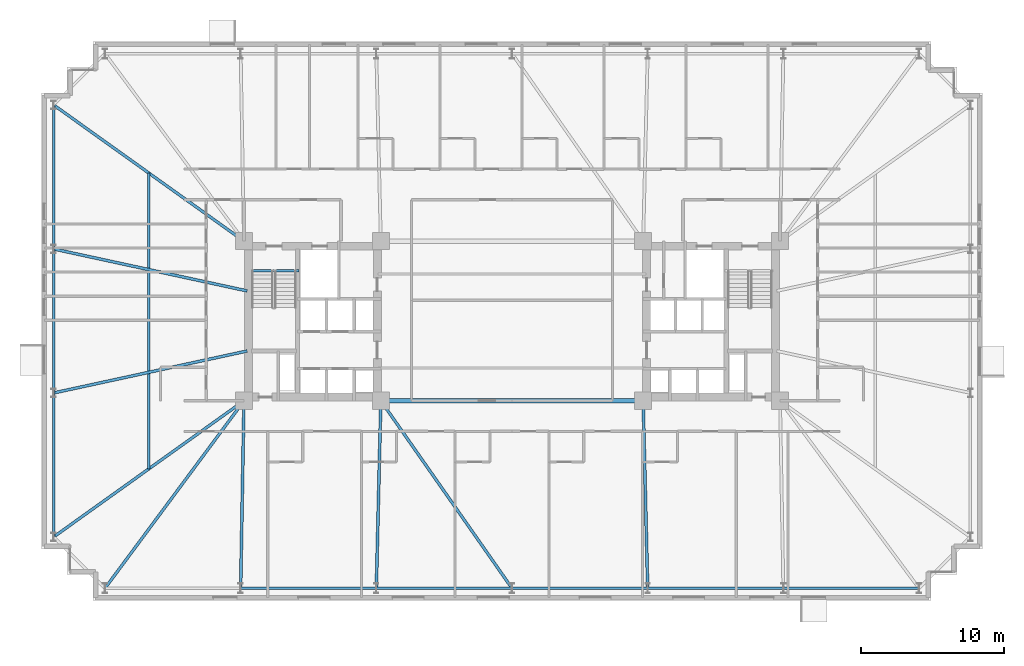
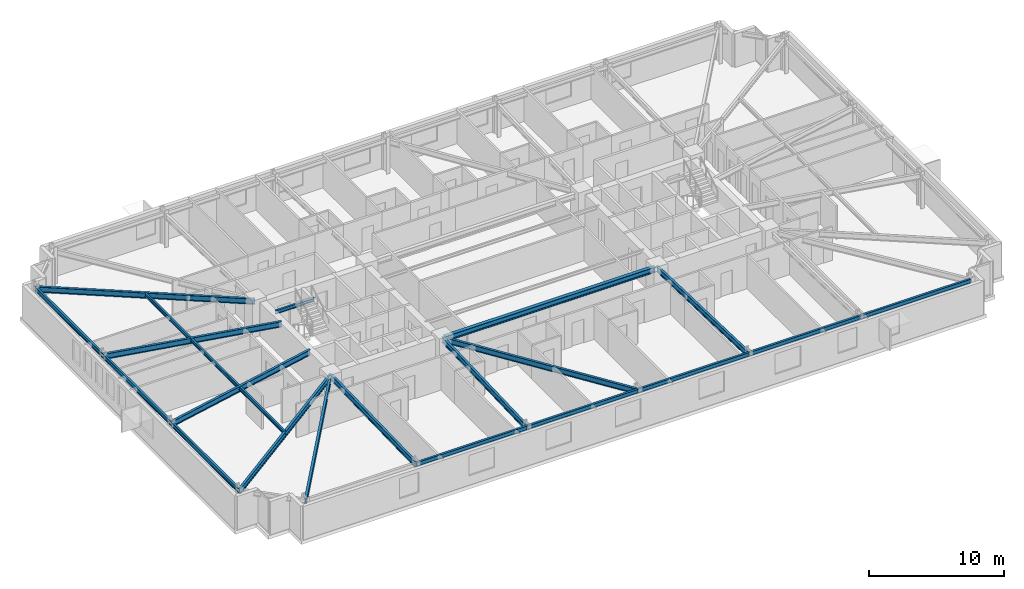
# One storey, part 5 of 21: 20 beams.
"""IFC4 building model written with IfcOpenShell, lengths in metres."""

from ifc_helpers import new_model, si_unit, direction, frame, origin, origin_2d, place, context, subcontext, project, spatial, i_section, extrude, material, material_profile, profile_set, type_object, element, save


model = new_model("IFC4")

# Units and contexts
model_context = context("Model", 3, precision=1e-05, world=origin(), true_north=direction((0.0, 1.0)))
body_context = subcontext(model_context, "Body", "Model", "MODEL_VIEW")
ifc_project = project(units=[si_unit("LENGTHUNIT", "METRE"), si_unit("AREAUNIT", "SQUARE_METRE"), si_unit("VOLUMEUNIT", "CUBIC_METRE"), si_unit("PLANEANGLEUNIT", "RADIAN"), si_unit("MASSUNIT", "GRAM", prefix="KILO")], contexts=[model_context])

# Site, building, storey
site_placement = place(None, origin())
site = spatial("IfcSite", under=ifc_project, at=site_placement, CompositionType="ELEMENT")
building_placement = place(site_placement, origin())
building = spatial("IfcBuilding", under=site, at=building_placement, Name="Qobustan Lattice House", CompositionType="ELEMENT")
storey_placement = place(building_placement, frame((0.0, 0.0, 57.14990234375)))
storey = spatial("IfcBuildingStorey", under=building, at=storey_placement, Name="L15", CompositionType="ELEMENT", Elevation=57.14990234375)

# Beams
ifc_material_1 = material(Name="Steel S355", Category="steel")
ifc_material_profile_1 = material_profile(ifc_material_1, i_section(OverallWidth=0.300048828125, OverallDepth=0.5, WebThickness=0.014404296875, FlangeThickness=0.028076171875, FilletRadius=0.027099609375, at=origin_2d()), Name="HEB500")
ifc_profile_set_1 = profile_set([ifc_material_profile_1], Name="Steel S355")
beam_type_1 = type_object("IfcBeamType", Name="BM-CG-HEB500", PredefinedType="USERDEFINED", material=ifc_profile_set_1)
beam_1_placement = place(storey_placement, frame((-9.050048828125, -5.60009765625, 2.78515625), z_axis=(1.0, 0.0, 0.0), x_axis=(0.0, 1.0, 0.0)))
element("IfcBeam", 1, at=beam_1_placement, inside=storey, type_object=beam_type_1, Name="L15 core spine girder CG-CS", ObjectType="GIRDER", PredefinedType="USERDEFINED", context=body_context, shape_type="SweptSolid", body=[
    extrude(i_section(OverallWidth=0.300048828125, OverallDepth=0.5, WebThickness=0.014404296875, FlangeThickness=0.028076171875, FilletRadius=0.027099609375, at=origin_2d()), origin(), (0.0, 0.0, 1.0), 18.10009765625),
])
ifc_material_2 = material(Name="Steel S355", Category="steel")
ifc_material_profile_2 = material_profile(ifc_material_2, i_section(OverallWidth=0.199951171875, OverallDepth=0.5, WebThickness=0.01025390625, FlangeThickness=0.01611328125, FilletRadius=0.02099609375, at=origin_2d()), Name="IPE500")
ifc_profile_set_2 = profile_set([ifc_material_profile_2], Name="Steel S355")
beam_type_2 = type_object("IfcBeamType", Name="BM-FLG-IPE500", PredefinedType="USERDEFINED", material=ifc_profile_set_2)
beam_2_placement = place(storey_placement, frame((-28.53515625, -18.72998046875, 2.78515625), z_axis=(0.5955916815, 0.803287338956, 0.0), x_axis=(-0.803287338956, 0.5955916815, 0.0)))
element("IfcBeam", 2, at=beam_2_placement, inside=storey, type_object=beam_type_2, Name="L15 primary floor girder RAD-S1W", ObjectType="GIRDER", PredefinedType="USERDEFINED", context=body_context, shape_type="SweptSolid", body=[
    extrude(i_section(OverallWidth=0.199951171875, OverallDepth=0.5, WebThickness=0.01025390625, FlangeThickness=0.01611328125, FilletRadius=0.02099609375, at=origin_2d()), origin(), (0.0, 0.0, 1.0), 16.3203125),
])
beam_3_placement = place(storey_placement, frame((-19.032958984375, -18.72509765625, 2.78515625), z_axis=(0.017757831607, 0.999842317276, 0.0), x_axis=(-0.999842317276, 0.017757831607, 0.0)))
element("IfcBeam", 3, at=beam_3_placement, inside=storey, type_object=beam_type_2, Name="L15 primary floor girder RAD-S2", ObjectType="GIRDER", PredefinedType="USERDEFINED", context=body_context, shape_type="SweptSolid", body=[
    extrude(i_section(OverallWidth=0.199951171875, OverallDepth=0.5, WebThickness=0.01025390625, FlangeThickness=0.01611328125, FilletRadius=0.02099609375, at=origin_2d()), origin(), (0.0, 0.0, 1.0), 13.10205078125),
])
beam_4_placement = place(storey_placement, frame((-9.51611328125, -18.72509765625, 2.78515625), z_axis=(0.024071445657, 0.999710240772, 0.0), x_axis=(-0.999710240772, 0.024071445657, 0.0)))
element("IfcBeam", 4, at=beam_4_placement, inside=storey, type_object=beam_type_2, Name="L15 primary floor girder RAD-S3", ObjectType="GIRDER", PredefinedType="USERDEFINED", context=body_context, shape_type="SweptSolid", body=[
    extrude(i_section(OverallWidth=0.199951171875, OverallDepth=0.5, WebThickness=0.01025390625, FlangeThickness=0.01611328125, FilletRadius=0.02099609375, at=origin_2d()), origin(), (0.0, 0.0, 1.0), 13.10400390625),
])
beam_5_placement = place(storey_placement, frame((-0.014404296875, -18.7294921875, 2.78515625), z_axis=(-0.57325954206, 0.819373844736, 0.0), x_axis=(-0.819373844736, -0.57325954206, 0.0)))
element("IfcBeam", 5, at=beam_5_placement, inside=storey, type_object=beam_type_2, Name="L15 primary floor girder RAD-S4", ObjectType="GIRDER", PredefinedType="USERDEFINED", context=body_context, shape_type="SweptSolid", body=[
    extrude(i_section(OverallWidth=0.199951171875, OverallDepth=0.5, WebThickness=0.01025390625, FlangeThickness=0.01611328125, FilletRadius=0.02099609375, at=origin_2d()), origin(), (0.0, 0.0, 1.0), 15.998779296875),
])
beam_6_placement = place(storey_placement, frame((9.51611328125, -18.72509765625, 2.78515625), z_axis=(-0.024071445657, 0.999710240772, 0.0), x_axis=(-0.999710240772, -0.024071445657, 0.0)))
element("IfcBeam", 6, at=beam_6_placement, inside=storey, type_object=beam_type_2, Name="L15 primary floor girder RAD-S5", ObjectType="GIRDER", PredefinedType="USERDEFINED", context=body_context, shape_type="SweptSolid", body=[
    extrude(i_section(OverallWidth=0.199951171875, OverallDepth=0.5, WebThickness=0.01025390625, FlangeThickness=0.01611328125, FilletRadius=0.02099609375, at=origin_2d()), origin(), (0.0, 0.0, 1.0), 13.10400390625),
])
beam_7_placement = place(storey_placement, frame((-32.129638671875, 15.135498046875, 2.78515625), z_axis=(0.813318954893, -0.581818079481, 0.0), x_axis=(0.581818079481, 0.813318954893, 0.0)))
element("IfcBeam", 7, at=beam_7_placement, inside=storey, type_object=beam_type_2, Name="L15 primary floor girder RAD-W1", ObjectType="GIRDER", PredefinedType="USERDEFINED", context=body_context, shape_type="SweptSolid", body=[
    extrude(i_section(OverallWidth=0.199951171875, OverallDepth=0.5, WebThickness=0.01025390625, FlangeThickness=0.01611328125, FilletRadius=0.02099609375, at=origin_2d()), origin(), (0.0, 0.0, 1.0), 16.3642578125),
])
for number, where, z_axis, x_axis, name in (
    (8, (-32.12548828125, 5.044677734375, 2.78515625), (0.97727240275, -0.211987383643, 0.0), (0.211987383643, 0.97727240275, 0.0), "L15 primary floor girder RAD-W2"),
    (9, (-32.12548828125, -5.044677734375, 2.78515625), (0.97727240275, 0.211987383643, 0.0), (-0.211987383643, 0.97727240275, 0.0), "L15 primary floor girder RAD-W3"),
):
    element("IfcBeam", number, at=place(storey_placement, frame(where, z_axis=z_axis, x_axis=x_axis)), inside=storey, type_object=beam_type_2, Name=name, ObjectType="GIRDER", PredefinedType="USERDEFINED", context=body_context, shape_type="SweptSolid", body=[
        extrude(i_section(OverallWidth=0.199951171875, OverallDepth=0.5, WebThickness=0.01025390625, FlangeThickness=0.01611328125, FilletRadius=0.02099609375, at=origin_2d()), origin(), (0.0, 0.0, 1.0), 13.8662109375),
    ])
beam_8_placement = place(storey_placement, frame((-32.129638671875, -15.135498046875, 2.78515625), z_axis=(0.813318954893, 0.581818079481, 0.0), x_axis=(-0.581818079481, 0.813318954893, 0.0)))
element("IfcBeam", 10, at=beam_8_placement, inside=storey, type_object=beam_type_2, Name="L15 primary floor girder RAD-W4", ObjectType="GIRDER", PredefinedType="USERDEFINED", context=body_context, shape_type="SweptSolid", body=[
    extrude(i_section(OverallWidth=0.199951171875, OverallDepth=0.5, WebThickness=0.01025390625, FlangeThickness=0.01611328125, FilletRadius=0.02099609375, at=origin_2d()), origin(), (0.0, 0.0, 1.0), 16.3642578125),
])
ifc_material_3 = material(Name="Steel S355", Category="steel")
ifc_material_profile_3 = material_profile(ifc_material_3, i_section(OverallWidth=0.159912109375, OverallDepth=0.330078125, WebThickness=0.007568359375, FlangeThickness=0.011474609375, FilletRadius=0.01806640625, at=origin_2d()), Name="IPE330")
ifc_profile_set_3 = profile_set([ifc_material_profile_3], Name="Steel S355")
beam_type_3 = type_object("IfcBeamType", Name="BM-SEC-IPE330", PredefinedType="BEAM", material=ifc_profile_set_3)
beam_9_placement = place(storey_placement, frame((-25.47509765625, 10.375, 2.8701171875), z_axis=(0.0, -1.0, 0.0), x_axis=(1.0, 0.0, 0.0)))
element("IfcBeam", 11, at=beam_9_placement, inside=storey, type_object=beam_type_3, Name="L15 west wing secondary beam", PredefinedType="BEAM", context=body_context, shape_type="SweptSolid", body=[
    extrude(i_section(OverallWidth=0.159912109375, OverallDepth=0.330078125, WebThickness=0.007568359375, FlangeThickness=0.011474609375, FilletRadius=0.01806640625, at=origin_2d()), origin(), (0.0, 0.0, 1.0), 20.75),
])
ifc_material_4 = material(Name="Steel S355", Category="steel")
ifc_material_profile_4 = material_profile(ifc_material_4, i_section(OverallWidth=0.159912109375, OverallDepth=0.330078125, WebThickness=0.007568359375, FlangeThickness=0.011474609375, FilletRadius=0.01806640625, at=origin_2d()), Name="IPE330")
ifc_profile_set_4 = profile_set([ifc_material_profile_4], Name="Steel S355")
beam_type_4 = type_object("IfcBeamType", Name="BM-SPD-IPE330", PredefinedType="SPANDREL", material=ifc_profile_set_4)
beam_10_placement = place(storey_placement, frame((-18.300048828125, 3.52001953125, 2.8701171875), z_axis=(1.0, 0.0, 0.0), x_axis=(0.0, 1.0, 0.0)))
element("IfcBeam", 12, at=beam_10_placement, inside=storey, type_object=beam_type_4, Name="L15 west stair landing trimmer beam", PredefinedType="SPANDREL", context=body_context, shape_type="SweptSolid", body=[
    extrude(i_section(OverallWidth=0.159912109375, OverallDepth=0.330078125, WebThickness=0.007568359375, FlangeThickness=0.011474609375, FilletRadius=0.01806640625, at=origin_2d()), origin(), (0.0, 0.0, 1.0), 3.35009765625),
])
ifc_material_5 = material(Name="Steel S355", Category="steel")
ifc_material_profile_5 = material_profile(ifc_material_5, i_section(OverallWidth=0.179931640625, OverallDepth=0.39990234375, WebThickness=0.008544921875, FlangeThickness=0.013427734375, FilletRadius=0.02099609375, at=origin_2d()), Name="IPE400")
ifc_profile_set_5 = profile_set([ifc_material_profile_5], Name="Steel S355")
beam_type_5 = type_object("IfcBeamType", Name="BM-SPD-IPE400", PredefinedType="SPANDREL", material=ifc_profile_set_5)
beam_11_placement = place(storey_placement, frame((-19.00830078125, -18.75, 2.835205078125), z_axis=(1.0, 0.0, 0.0), x_axis=(0.0, 1.0, 0.0)))
element("IfcBeam", 13, at=beam_11_placement, inside=storey, type_object=beam_type_5, Name="L15 perimeter spandrel S2-S3", PredefinedType="SPANDREL", context=body_context, shape_type="SweptSolid", body=[
    extrude(i_section(OverallWidth=0.179931640625, OverallDepth=0.39990234375, WebThickness=0.008544921875, FlangeThickness=0.013427734375, FilletRadius=0.02099609375, at=origin_2d()), origin(), (0.0, 0.0, 1.0), 9.466552734375),
])
for number, where, z_axis, x_axis, name in (
    (14, (-9.49169921875, -18.75, 2.835205078125), (1.0, 0.0, 0.0), (0.0, 1.0, 0.0), "L15 perimeter spandrel S3-S4"),
    (15, (0.02490234375, -18.75, 2.835205078125), (1.0, 0.0, 0.0), (0.0, 1.0, 0.0), "L15 perimeter spandrel S4-S5"),
):
    element("IfcBeam", number, at=place(storey_placement, frame(where, z_axis=z_axis, x_axis=x_axis)), inside=storey, type_object=beam_type_5, Name=name, PredefinedType="SPANDREL", context=body_context, shape_type="SweptSolid", body=[
        extrude(i_section(OverallWidth=0.179931640625, OverallDepth=0.39990234375, WebThickness=0.008544921875, FlangeThickness=0.013427734375, FilletRadius=0.02099609375, at=origin_2d()), origin(), (0.0, 0.0, 1.0), 9.466796875),
    ])
for number, where, z_axis, x_axis, name in (
    (16, (9.541748046875, -18.75, 2.835205078125), (1.0, 0.0, 0.0), (0.0, 1.0, 0.0), "L15 perimeter spandrel S5-S6"),
    (17, (19.058349609375, -18.75, 2.835205078125), (1.0, 0.0, 0.0), (0.0, 1.0, 0.0), "L15 perimeter spandrel S6-S7"),
):
    element("IfcBeam", number, at=place(storey_placement, frame(where, z_axis=z_axis, x_axis=x_axis)), inside=storey, type_object=beam_type_5, Name=name, PredefinedType="SPANDREL", context=body_context, shape_type="SweptSolid", body=[
        extrude(i_section(OverallWidth=0.179931640625, OverallDepth=0.39990234375, WebThickness=0.008544921875, FlangeThickness=0.013427734375, FilletRadius=0.02099609375, at=origin_2d()), origin(), (0.0, 0.0, 1.0), 9.466552734375),
    ])
beam_12_placement = place(storey_placement, frame((-32.14990234375, 15.125, 2.835205078125), z_axis=(0.0, -1.0, 0.0), x_axis=(1.0, 0.0, 0.0)))
element("IfcBeam", 18, at=beam_12_placement, inside=storey, type_object=beam_type_5, Name="L15 perimeter spandrel W1-W2", PredefinedType="SPANDREL", context=body_context, shape_type="SweptSolid", body=[
    extrude(i_section(OverallWidth=0.179931640625, OverallDepth=0.39990234375, WebThickness=0.008544921875, FlangeThickness=0.013427734375, FilletRadius=0.02099609375, at=origin_2d()), origin(), (0.0, 0.0, 1.0), 10.050048828125),
])
beam_13_placement = place(storey_placement, frame((-32.14990234375, 5.02490234375, 2.835205078125), z_axis=(0.0, -1.0, 0.0), x_axis=(1.0, 0.0, 0.0)))
element("IfcBeam", 19, at=beam_13_placement, inside=storey, type_object=beam_type_5, Name="L15 perimeter spandrel W2-W3", PredefinedType="SPANDREL", context=body_context, shape_type="SweptSolid", body=[
    extrude(i_section(OverallWidth=0.179931640625, OverallDepth=0.39990234375, WebThickness=0.008544921875, FlangeThickness=0.013427734375, FilletRadius=0.02099609375, at=origin_2d()), origin(), (0.0, 0.0, 1.0), 10.0498046875),
])
beam_14_placement = place(storey_placement, frame((-32.14990234375, -5.074951171875, 2.835205078125), z_axis=(0.0, -1.0, 0.0), x_axis=(1.0, 0.0, 0.0)))
element("IfcBeam", 20, at=beam_14_placement, inside=storey, type_object=beam_type_5, Name="L15 perimeter spandrel W3-W4", PredefinedType="SPANDREL", context=body_context, shape_type="SweptSolid", body=[
    extrude(i_section(OverallWidth=0.179931640625, OverallDepth=0.39990234375, WebThickness=0.008544921875, FlangeThickness=0.013427734375, FilletRadius=0.02099609375, at=origin_2d()), origin(), (0.0, 0.0, 1.0), 10.050048828125),
])

save(model, "model.ifc")
